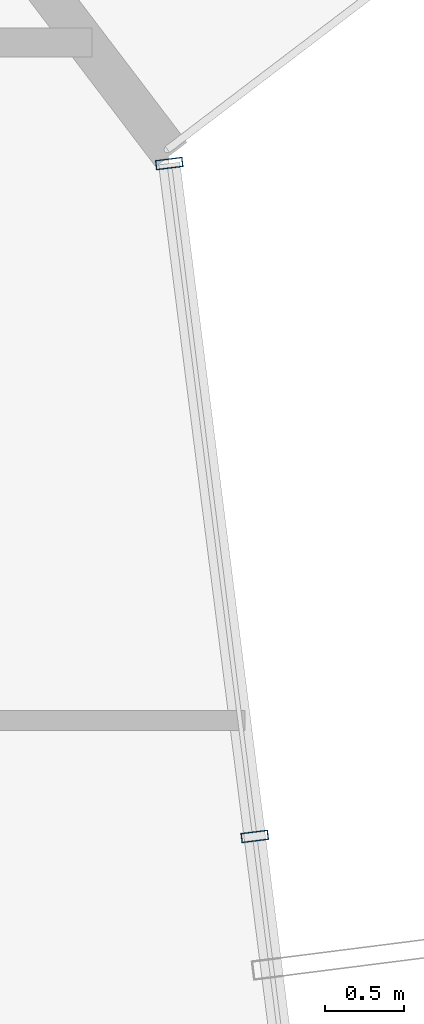
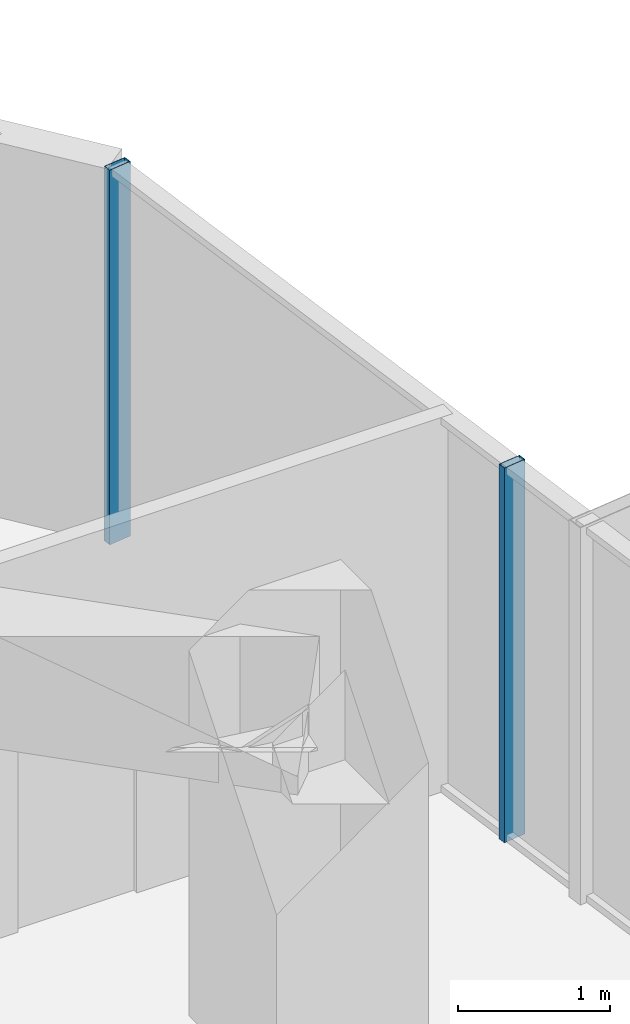
# One storey, part 18 of 33: 2 members, 1 element without a shape of its own.
"""IFC4 building model written with IfcOpenShell, lengths in metres."""

import ifcopenshell
import ifcopenshell.guid

model = None  # the IFC model being written
_history = None  # IfcOwnerHistory: only IFC2X3 demands one
_inside = {}  # id of a spatial element -> (the spatial element, [elements in it])
_under = {}  # id of a project, library or spatial element -> (it, [spatial elements below it])
_declared = {}  # id of a project -> (the project, [libraries it declares])
_typed = {}  # id of a type object -> (the type object, [elements of that type])
_made_of = {}  # id of a material, layer set ... -> (it, [elements and type objects made of it])


def new_model(schema):
    """Start an empty IFC model of exactly this schema.

    Asked for "IFC4X3", IfcOpenShell would pick the latest addendum, in which some entities
    have other attributes; the version numbers below select the first issue.
    IFC2X3 requires an IfcOwnerHistory on every rooted entity: one is made here for all.
    """
    global model, _history
    if schema == "IFC4X3":
        model = ifcopenshell.file(schema_version=(4, 3, 0, 0))
    else:
        model = ifcopenshell.file(schema=schema)
    _inside.clear()
    _under.clear()
    _declared.clear()
    _typed.clear()
    _made_of.clear()
    _history = None
    if model.schema == "IFC2X3":
        org = make("IfcOrganization", Name="unknown")
        user = make(
            "IfcPersonAndOrganization",
            ThePerson=make("IfcPerson", FamilyName="unknown"),
            TheOrganization=org,
        )
        app = make(
            "IfcApplication",
            ApplicationDeveloper=org,
            Version="unknown",
            ApplicationFullName="unknown",
            ApplicationIdentifier="unknown",
        )
        _history = make(
            "IfcOwnerHistory",
            OwningUser=user,
            OwningApplication=app,
            ChangeAction="ADDED",
            CreationDate=0,
        )
    return model


def make(cls, **values):
    """One entity of the class cls with the attributes given. An attribute that is None is left unset."""
    return model.create_entity(
        cls, **{name: value for name, value in values.items() if value is not None}
    )


def rooted(cls, **values):
    """An entity with a GlobalId (a new one), such as an element, a storey or a relation."""
    return make(cls, GlobalId=ifcopenshell.guid.new(), OwnerHistory=_history, **values)


def si_unit(unit_type, name, prefix=None):
    """IfcSIUnit, for example si_unit("LENGTHUNIT", "METRE", prefix="MILLI")."""
    return make("IfcSIUnit", UnitType=unit_type, Prefix=prefix, Name=name)


def assignment(units):
    """IfcUnitAssignment: the units of a project."""
    return None if units is None else make("IfcUnitAssignment", Units=units)


def point(xyz):
    """IfcCartesianPoint."""
    return None if xyz is None else make("IfcCartesianPoint", Coordinates=xyz)


def direction(xyz):
    """IfcDirection."""
    return None if xyz is None else make("IfcDirection", DirectionRatios=xyz)


def frame(location, z_axis=None, x_axis=None):
    """IfcAxis2Placement3D, a coordinate frame: its origin and axes. An axis left out is left unset."""
    return make(
        "IfcAxis2Placement3D",
        Location=point(location),
        Axis=direction(z_axis),
        RefDirection=direction(x_axis),
    )


def frame_2d(location, x_axis=None):
    """IfcAxis2Placement2D, a coordinate frame in the plane: its origin and x axis."""
    return make(
        "IfcAxis2Placement2D", Location=point(location), RefDirection=direction(x_axis)
    )


def origin():
    """The frame at (0, 0, 0) with its axes left unset."""
    return frame((0.0, 0.0, 0.0))


def origin_2d():
    """The frame at (0, 0) in the plane with its x axis left unset."""
    return frame_2d((0.0, 0.0))


def place(relative_to, where):
    """IfcLocalPlacement: puts the frame where relative to a parent placement (None: the world)."""
    return make(
        "IfcLocalPlacement", PlacementRelTo=relative_to, RelativePlacement=where
    )


def context(
    kind, dimensions, precision=None, world=None, true_north=None, identifier=None
):
    """IfcGeometricRepresentationContext, for example the 3D "Model" context."""
    return make(
        "IfcGeometricRepresentationContext",
        ContextIdentifier=identifier,
        ContextType=kind,
        CoordinateSpaceDimension=dimensions,
        Precision=precision,
        WorldCoordinateSystem=world,
        TrueNorth=true_north,
    )


def subcontext(parent, identifier, kind, view, scale=None):
    """IfcGeometricRepresentationSubContext, for example "Body" below "Model"."""
    return make(
        "IfcGeometricRepresentationSubContext",
        ContextIdentifier=identifier,
        ContextType=kind,
        ParentContext=parent,
        TargetScale=scale,
        TargetView=view,
    )


def project(units=None, contexts=None):
    """IfcProject with its units and contexts."""
    return rooted(
        "IfcProject",
        Name="project",
        RepresentationContexts=contexts,
        UnitsInContext=assignment(units),
    )


def spatial(cls, under=None, at=None, **own):
    """A site, building, storey or space (cls), placed at a placement, below another one or the project."""
    s = rooted(cls, ObjectPlacement=at, **own)
    if under is not None:
        _under.setdefault(under.id(), (under, []))[1].append(s)
    return s


def profile(cls, at=None, kind="AREA", **sizes):
    """A parametric profile (cls). Its sizes go by their IFC names, for example OverallWidth=200.0."""
    return make(cls, ProfileType=kind, Position=at, **sizes)


def hollow_rectangle(**sizes):
    """IfcRectangleHollowProfileDef."""
    return profile("IfcRectangleHollowProfileDef", **sizes)


def extrude(swept, where, along, depth):
    """IfcExtrudedAreaSolid: the profile swept, set in the frame where, extruded along a direction by depth."""
    return make(
        "IfcExtrudedAreaSolid",
        SweptArea=swept,
        Position=where,
        ExtrudedDirection=direction(along),
        Depth=depth,
    )


def shape(context_of_items, identifier, shape_type, items):
    """IfcShapeRepresentation: the items that make up one representation, for example the "Body"."""
    return make(
        "IfcShapeRepresentation",
        ContextOfItems=context_of_items,
        RepresentationIdentifier=identifier,
        RepresentationType=shape_type,
        Items=items,
    )


def source(mapping_origin, context_of_items, identifier, shape_type, items):
    """IfcRepresentationMap: a shape defined once, which mapped items show again and again."""
    return make(
        "IfcRepresentationMap",
        MappingOrigin=mapping_origin,
        MappedRepresentation=shape(context_of_items, identifier, shape_type, items),
    )


def transform(
    local_origin,
    x_axis=None,
    y_axis=None,
    z_axis=None,
    scale=None,
    scale2=None,
    scale3=None,
    uniform=True,
):
    """IfcCartesianTransformationOperator3D, or its non-uniform kind. x_axis, y_axis, z_axis: its Axis1, 2, 3."""
    if uniform:
        return make(
            "IfcCartesianTransformationOperator3D",
            Axis1=direction(x_axis),
            Axis2=direction(y_axis),
            LocalOrigin=point(local_origin),
            Scale=scale,
            Axis3=direction(z_axis),
        )
    return make(
        "IfcCartesianTransformationOperator3DnonUniform",
        Axis1=direction(x_axis),
        Axis2=direction(y_axis),
        LocalOrigin=point(local_origin),
        Scale=scale,
        Axis3=direction(z_axis),
        Scale2=scale2,
        Scale3=scale3,
    )


def mapped(mapping_source, mapping_target):
    """IfcMappedItem: shows the shape of a source again, moved by a transform."""
    return make(
        "IfcMappedItem", MappingSource=mapping_source, MappingTarget=mapping_target
    )


def material(Name=None, Category=None):
    """IfcMaterial."""
    return make("IfcMaterial", Name=Name, Category=Category)


def layer(
    of_material, thickness, ventilated=None, Name=None, Category=None, Priority=None
):
    """IfcMaterialLayer: one layer of a wall or slab, of a material (None: an air gap)."""
    return make(
        "IfcMaterialLayer",
        Material=of_material,
        LayerThickness=thickness,
        IsVentilated=ventilated,
        Name=Name,
        Category=Category,
        Priority=Priority,
    )


def layer_set(layers, Name=None):
    """IfcMaterialLayerSet."""
    return make("IfcMaterialLayerSet", MaterialLayers=layers, LayerSetName=Name)


def material_profile(
    of_material, cross_section, Name=None, Category=None, Priority=None
):
    """IfcMaterialProfile: a cross section and its material."""
    return make(
        "IfcMaterialProfile",
        Name=Name,
        Material=of_material,
        Profile=cross_section,
        Priority=Priority,
        Category=Category,
    )


def profile_set(profiles, Name=None, composite=None):
    """IfcMaterialProfileSet."""
    return make(
        "IfcMaterialProfileSet",
        Name=Name,
        MaterialProfiles=profiles,
        CompositeProfile=composite,
    )


def made_of(thing, what):
    """Note that an element or type object is made of a material, layer set ...; save() writes the relation."""
    if what is not None:
        _made_of.setdefault(what.id(), (what, []))[1].append(thing)
    return thing


def type_object(cls, material=None, **own):
    """A type object (cls), such as IfcWallType, which elements share."""
    return made_of(rooted(cls, **own), material)


def element(
    cls,
    number,
    at=None,
    inside=None,
    cuts=None,
    type_object=None,
    material=None,
    context=None,
    identifier="Body",
    shape_type=None,
    held_by="IfcProductDefinitionShape",
    body=None,
    shapes=None,
    **own,
):
    """One element of the class cls, such as IfcWall. Its Tag is "e" and its number.

    at: its placement. inside: the storey or other place that contains it. cuts: it is an
    opening in that element (IfcRelVoidsElement). A single representation is given by context,
    identifier, shape_type and body (its items); several are given by shapes. held_by: the class
    of the entity that holds the representations. save() writes the other relations.
    """
    e = rooted(cls, Tag="e%d" % number, ObjectPlacement=at, **own)
    if body is not None:
        shapes = [shape(context, identifier, shape_type, body)]
    if shapes is not None:
        e.Representation = make(held_by, Representations=shapes)
    if inside is not None:
        _inside.setdefault(inside.id(), (inside, []))[1].append(e)
    if cuts is not None:
        rooted(
            "IfcRelVoidsElement", RelatingBuildingElement=cuts, RelatedOpeningElement=e
        )
    if type_object is not None:
        _typed.setdefault(type_object.id(), (type_object, []))[1].append(e)
    return made_of(e, material)


def aggregate(whole, parts):
    """IfcRelAggregates: a whole, such as a stair, and the parts it consists of."""
    return rooted("IfcRelAggregates", RelatingObject=whole, RelatedObjects=parts)


def save(model, path):
    """Write the relations noted so far, then the file.

    IfcRelAggregates (storeys below a building ...), IfcRelContainedInSpatialStructure (elements
    in a storey), IfcRelDefinesByType, IfcRelAssociatesMaterial and IfcRelDeclares: one each for
    every whole, place, type object, material and project.
    """
    for whole, parts in _under.values():
        aggregate(whole, parts)
    for where, things in _inside.values():
        rooted(
            "IfcRelContainedInSpatialStructure",
            RelatedElements=things,
            RelatingStructure=where,
        )
    for kind, things in _typed.values():
        rooted("IfcRelDefinesByType", RelatedObjects=things, RelatingType=kind)
    for what, things in _made_of.values():
        rooted("IfcRelAssociatesMaterial", RelatedObjects=things, RelatingMaterial=what)
    for by, libraries in _declared.values():
        rooted("IfcRelDeclares", RelatingContext=by, RelatedDefinitions=libraries)
    model.write(path)


model = new_model("IFC4")

# Units and contexts
model_context = context("Model", 3, precision=1e-05, world=origin(), true_north=direction((0.0, 1.0)))
body_context = subcontext(model_context, "Body", "Model", "MODEL_VIEW")
ifc_project = project(units=[si_unit("LENGTHUNIT", "METRE"), si_unit("AREAUNIT", "SQUARE_METRE"), si_unit("VOLUMEUNIT", "CUBIC_METRE"), si_unit("PLANEANGLEUNIT", "RADIAN"), si_unit("MASSUNIT", "GRAM", prefix="KILO")], contexts=[model_context])

# Site, building, storey
site_placement = place(None, origin())
site = spatial("IfcSite", under=ifc_project, at=site_placement, CompositionType="ELEMENT")
building_placement = place(site_placement, origin())
building = spatial("IfcBuilding", under=site, at=building_placement, Name="Veraguas Prism Commons", CompositionType="ELEMENT")
storey_placement = place(building_placement, frame((0.0, 0.0, 152.25)))
storey = spatial("IfcBuildingStorey", under=building, at=storey_placement, Name="L43", CompositionType="ELEMENT", Elevation=152.25)

# Curtain wall, members
ifc_material = material(Name="Anodised aluminium EN AW-6063 T6", Category="aluminium")
ifc_layer = layer(ifc_material, 0.169921875, Name="Unitised Flush Curtain Wall Zone 2", Category="aluminium")
ifc_layer_set = layer_set([ifc_layer], Name="Anodised aluminium EN AW-6063 T6")
curtain_wall_type = type_object("IfcCurtainWallType", Name="Unitised Flush Curtain Wall Zone 2", PredefinedType="NOTDEFINED", material=ifc_layer_set)
curtain_wall_placement = place(storey_placement, origin())
curtain_wall = element("IfcCurtainWall", 1, at=curtain_wall_placement, inside=storey, type_object=curtain_wall_type, Name="Tower Facade Curtain Wall L43-F6", PredefinedType="NOTDEFINED")
ifc_material_profile = material_profile(ifc_material, hollow_rectangle(XDim=0.06005859375, YDim=0.169921875, WallThickness=0.00390625, at=origin_2d()), Name="AL60X170X4")
ifc_profile_set = profile_set([ifc_material_profile], Name="Anodised aluminium EN AW-6063 T6")
member_type = type_object("IfcMemberType", Name="Curtain Wall Mullion Lower AL 60x170x4", PredefinedType="MULLION", material=ifc_profile_set)
shared_shape = source(origin(), body_context, "Body", "SweptSolid", [
    extrude(hollow_rectangle(XDim=0.06005859375, YDim=0.169921875, WallThickness=0.00390625, at=origin_2d()), origin(), (0.0, 0.0, 1.0), 3.0),
])
member_1_placement = place(storey_placement, frame((42.486572265625, 30.691650390625, 0.0), z_axis=(0.0, 0.0, 1.0), x_axis=(-0.126020635446, 0.992027620302, 0.0)))
member_1 = element("IfcMember", 2, at=member_1_placement, type_object=member_type, Name="CW-Z2 Mullion 4", PredefinedType="MULLION", context=body_context, shape_type="MappedRepresentation", body=[
    mapped(shared_shape, transform((0.0, 0.0, 0.0), scale=1.0)),
])
member_2_placement = place(storey_placement, frame((41.947265625, 34.936279296875, 0.0), z_axis=(0.0, 0.0, 1.0), x_axis=(-0.126020635446, 0.992027620302, 0.0)))
member_2 = element("IfcMember", 3, at=member_2_placement, type_object=member_type, Name="CW-Z2 Mullion 5", PredefinedType="MULLION", context=body_context, shape_type="MappedRepresentation", body=[
    mapped(shared_shape, transform((0.0, 0.0, 0.0), scale=1.0)),
])
aggregate(curtain_wall, [member_1, member_2])

save(model, "model.ifc")
